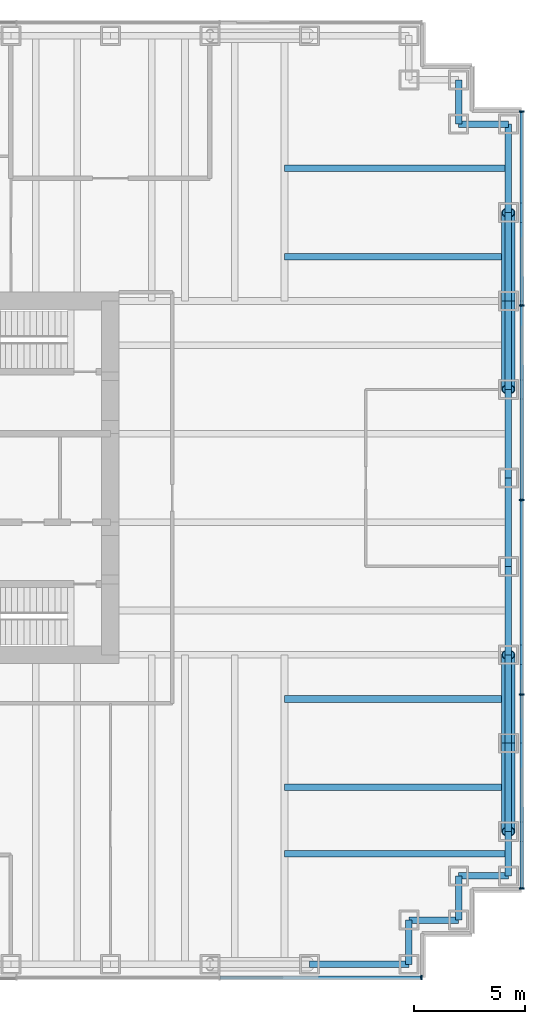
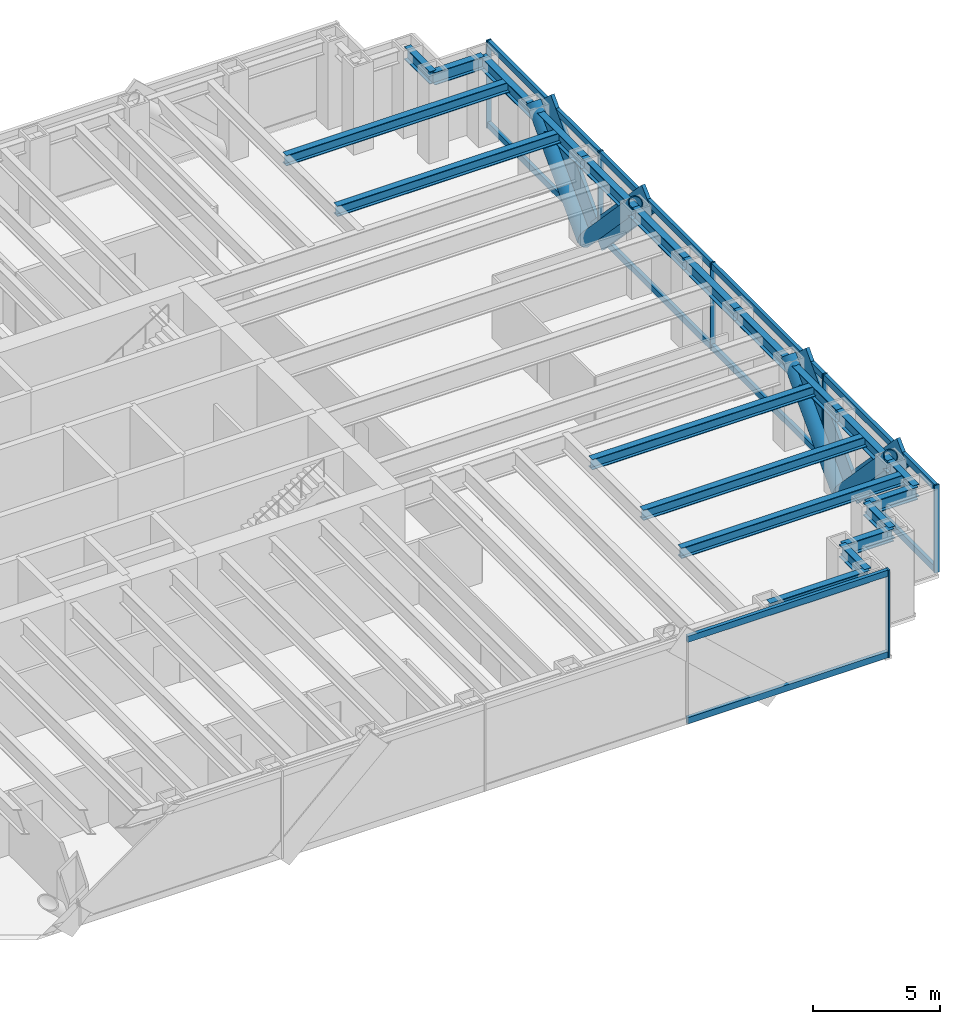
# One storey, part 8 of 17: 24 members, 21 beams, 2 elements without a shape of their own.
"""IFC4 building model written with IfcOpenShell, lengths in metres."""

import ifcopenshell
import ifcopenshell.guid

model = None  # the IFC model being written
_history = None  # IfcOwnerHistory: only IFC2X3 demands one
_inside = {}  # id of a spatial element -> (the spatial element, [elements in it])
_under = {}  # id of a project, library or spatial element -> (it, [spatial elements below it])
_declared = {}  # id of a project -> (the project, [libraries it declares])
_typed = {}  # id of a type object -> (the type object, [elements of that type])
_made_of = {}  # id of a material, layer set ... -> (it, [elements and type objects made of it])


def new_model(schema):
    """Start an empty IFC model of exactly this schema.

    Asked for "IFC4X3", IfcOpenShell would pick the latest addendum, in which some entities
    have other attributes; the version numbers below select the first issue.
    IFC2X3 requires an IfcOwnerHistory on every rooted entity: one is made here for all.
    """
    global model, _history
    if schema == "IFC4X3":
        model = ifcopenshell.file(schema_version=(4, 3, 0, 0))
    else:
        model = ifcopenshell.file(schema=schema)
    _inside.clear()
    _under.clear()
    _declared.clear()
    _typed.clear()
    _made_of.clear()
    _history = None
    if model.schema == "IFC2X3":
        org = make("IfcOrganization", Name="unknown")
        user = make(
            "IfcPersonAndOrganization",
            ThePerson=make("IfcPerson", FamilyName="unknown"),
            TheOrganization=org,
        )
        app = make(
            "IfcApplication",
            ApplicationDeveloper=org,
            Version="unknown",
            ApplicationFullName="unknown",
            ApplicationIdentifier="unknown",
        )
        _history = make(
            "IfcOwnerHistory",
            OwningUser=user,
            OwningApplication=app,
            ChangeAction="ADDED",
            CreationDate=0,
        )
    return model


def make(cls, **values):
    """One entity of the class cls with the attributes given. An attribute that is None is left unset."""
    return model.create_entity(
        cls, **{name: value for name, value in values.items() if value is not None}
    )


def rooted(cls, **values):
    """An entity with a GlobalId (a new one), such as an element, a storey or a relation."""
    return make(cls, GlobalId=ifcopenshell.guid.new(), OwnerHistory=_history, **values)


def si_unit(unit_type, name, prefix=None):
    """IfcSIUnit, for example si_unit("LENGTHUNIT", "METRE", prefix="MILLI")."""
    return make("IfcSIUnit", UnitType=unit_type, Prefix=prefix, Name=name)


def assignment(units):
    """IfcUnitAssignment: the units of a project."""
    return None if units is None else make("IfcUnitAssignment", Units=units)


def point(xyz):
    """IfcCartesianPoint."""
    return None if xyz is None else make("IfcCartesianPoint", Coordinates=xyz)


def direction(xyz):
    """IfcDirection."""
    return None if xyz is None else make("IfcDirection", DirectionRatios=xyz)


def frame(location, z_axis=None, x_axis=None):
    """IfcAxis2Placement3D, a coordinate frame: its origin and axes. An axis left out is left unset."""
    return make(
        "IfcAxis2Placement3D",
        Location=point(location),
        Axis=direction(z_axis),
        RefDirection=direction(x_axis),
    )


def frame_2d(location, x_axis=None):
    """IfcAxis2Placement2D, a coordinate frame in the plane: its origin and x axis."""
    return make(
        "IfcAxis2Placement2D", Location=point(location), RefDirection=direction(x_axis)
    )


def origin():
    """The frame at (0, 0, 0) with its axes left unset."""
    return frame((0.0, 0.0, 0.0))


def origin_2d():
    """The frame at (0, 0) in the plane with its x axis left unset."""
    return frame_2d((0.0, 0.0))


def place(relative_to, where):
    """IfcLocalPlacement: puts the frame where relative to a parent placement (None: the world)."""
    return make(
        "IfcLocalPlacement", PlacementRelTo=relative_to, RelativePlacement=where
    )


def context(
    kind, dimensions, precision=None, world=None, true_north=None, identifier=None
):
    """IfcGeometricRepresentationContext, for example the 3D "Model" context."""
    return make(
        "IfcGeometricRepresentationContext",
        ContextIdentifier=identifier,
        ContextType=kind,
        CoordinateSpaceDimension=dimensions,
        Precision=precision,
        WorldCoordinateSystem=world,
        TrueNorth=true_north,
    )


def subcontext(parent, identifier, kind, view, scale=None):
    """IfcGeometricRepresentationSubContext, for example "Body" below "Model"."""
    return make(
        "IfcGeometricRepresentationSubContext",
        ContextIdentifier=identifier,
        ContextType=kind,
        ParentContext=parent,
        TargetScale=scale,
        TargetView=view,
    )


def project(units=None, contexts=None):
    """IfcProject with its units and contexts."""
    return rooted(
        "IfcProject",
        Name="project",
        RepresentationContexts=contexts,
        UnitsInContext=assignment(units),
    )


def spatial(cls, under=None, at=None, **own):
    """A site, building, storey or space (cls), placed at a placement, below another one or the project."""
    s = rooted(cls, ObjectPlacement=at, **own)
    if under is not None:
        _under.setdefault(under.id(), (under, []))[1].append(s)
    return s


def profile(cls, at=None, kind="AREA", **sizes):
    """A parametric profile (cls). Its sizes go by their IFC names, for example OverallWidth=200.0."""
    return make(cls, ProfileType=kind, Position=at, **sizes)


def rectangle(**sizes):
    """IfcRectangleProfileDef."""
    return profile("IfcRectangleProfileDef", **sizes)


def hollow_circle(**sizes):
    """IfcCircleHollowProfileDef."""
    return profile("IfcCircleHollowProfileDef", **sizes)


def i_section(**sizes):
    """IfcIShapeProfileDef."""
    return profile("IfcIShapeProfileDef", **sizes)


def extrude(swept, where, along, depth):
    """IfcExtrudedAreaSolid: the profile swept, set in the frame where, extruded along a direction by depth."""
    return make(
        "IfcExtrudedAreaSolid",
        SweptArea=swept,
        Position=where,
        ExtrudedDirection=direction(along),
        Depth=depth,
    )


def shape(context_of_items, identifier, shape_type, items):
    """IfcShapeRepresentation: the items that make up one representation, for example the "Body"."""
    return make(
        "IfcShapeRepresentation",
        ContextOfItems=context_of_items,
        RepresentationIdentifier=identifier,
        RepresentationType=shape_type,
        Items=items,
    )


def material(Name=None, Category=None):
    """IfcMaterial."""
    return make("IfcMaterial", Name=Name, Category=Category)


def material_profile(
    of_material, cross_section, Name=None, Category=None, Priority=None
):
    """IfcMaterialProfile: a cross section and its material."""
    return make(
        "IfcMaterialProfile",
        Name=Name,
        Material=of_material,
        Profile=cross_section,
        Priority=Priority,
        Category=Category,
    )


def profile_set(profiles, Name=None, composite=None):
    """IfcMaterialProfileSet."""
    return make(
        "IfcMaterialProfileSet",
        Name=Name,
        MaterialProfiles=profiles,
        CompositeProfile=composite,
    )


def made_of(thing, what):
    """Note that an element or type object is made of a material, layer set ...; save() writes the relation."""
    if what is not None:
        _made_of.setdefault(what.id(), (what, []))[1].append(thing)
    return thing


def type_object(cls, material=None, **own):
    """A type object (cls), such as IfcWallType, which elements share."""
    return made_of(rooted(cls, **own), material)


def element(
    cls,
    number,
    at=None,
    inside=None,
    cuts=None,
    type_object=None,
    material=None,
    context=None,
    identifier="Body",
    shape_type=None,
    held_by="IfcProductDefinitionShape",
    body=None,
    shapes=None,
    **own,
):
    """One element of the class cls, such as IfcWall. Its Tag is "e" and its number.

    at: its placement. inside: the storey or other place that contains it. cuts: it is an
    opening in that element (IfcRelVoidsElement). A single representation is given by context,
    identifier, shape_type and body (its items); several are given by shapes. held_by: the class
    of the entity that holds the representations. save() writes the other relations.
    """
    e = rooted(cls, Tag="e%d" % number, ObjectPlacement=at, **own)
    if body is not None:
        shapes = [shape(context, identifier, shape_type, body)]
    if shapes is not None:
        e.Representation = make(held_by, Representations=shapes)
    if inside is not None:
        _inside.setdefault(inside.id(), (inside, []))[1].append(e)
    if cuts is not None:
        rooted(
            "IfcRelVoidsElement", RelatingBuildingElement=cuts, RelatedOpeningElement=e
        )
    if type_object is not None:
        _typed.setdefault(type_object.id(), (type_object, []))[1].append(e)
    return made_of(e, material)


def aggregate(whole, parts):
    """IfcRelAggregates: a whole, such as a stair, and the parts it consists of."""
    return rooted("IfcRelAggregates", RelatingObject=whole, RelatedObjects=parts)


def save(model, path):
    """Write the relations noted so far, then the file.

    IfcRelAggregates (storeys below a building ...), IfcRelContainedInSpatialStructure (elements
    in a storey), IfcRelDefinesByType, IfcRelAssociatesMaterial and IfcRelDeclares: one each for
    every whole, place, type object, material and project.
    """
    for whole, parts in _under.values():
        aggregate(whole, parts)
    for where, things in _inside.values():
        rooted(
            "IfcRelContainedInSpatialStructure",
            RelatedElements=things,
            RelatingStructure=where,
        )
    for kind, things in _typed.values():
        rooted("IfcRelDefinesByType", RelatedObjects=things, RelatingType=kind)
    for what, things in _made_of.values():
        rooted("IfcRelAssociatesMaterial", RelatedObjects=things, RelatingMaterial=what)
    for by, libraries in _declared.values():
        rooted("IfcRelDeclares", RelatingContext=by, RelatedDefinitions=libraries)
    model.write(path)


model = new_model("IFC4")

# Units and contexts
model_context = context("Model", 3, precision=1e-05, world=origin(), true_north=direction((0.0, 1.0)))
body_context = subcontext(model_context, "Body", "Model", "MODEL_VIEW")
ifc_project = project(units=[si_unit("LENGTHUNIT", "METRE"), si_unit("AREAUNIT", "SQUARE_METRE"), si_unit("VOLUMEUNIT", "CUBIC_METRE"), si_unit("PLANEANGLEUNIT", "RADIAN"), si_unit("MASSUNIT", "GRAM", prefix="KILO")], contexts=[model_context])

# Site, building, storey
site_placement = place(None, origin())
site = spatial("IfcSite", under=ifc_project, at=site_placement, CompositionType="ELEMENT")
building_placement = place(site_placement, origin())
building = spatial("IfcBuilding", under=site, at=building_placement, Name="Rheinbord Bourse Tower", CompositionType="ELEMENT")
storey_placement = place(building_placement, frame((0.0, 0.0, 190.0)))
storey = spatial("IfcBuildingStorey", under=building, at=storey_placement, Name="L42", CompositionType="ELEMENT", Elevation=190.0)

# Curtain wall, members
ifc_material_1 = material(Name="Dark glass and black aluminium", Category="aluminium")
curtain_wall_type = type_object("IfcCurtainWallType", Name="CW2 DARK GLASS CURTAIN WALL", PredefinedType="USERDEFINED", material=ifc_material_1)
curtain_wall_1_placement = place(storey_placement, origin())
curtain_wall_1 = element("IfcCurtainWall", 1, at=curtain_wall_1_placement, inside=storey, type_object=curtain_wall_type, Name="Curtain wall CW2 E L42", ObjectType="UNITISED CURTAIN WALL", PredefinedType="USERDEFINED")
ifc_material_2 = material(Name="Black anodised aluminium", Category="aluminium")
ifc_material_profile_1 = material_profile(ifc_material_2, rectangle(XDim=0.159912109375, YDim=1.2099609375, at=origin_2d()), Name="CW2 DIAGONAL MULLION 1210x160")
ifc_profile_set_1 = profile_set([ifc_material_profile_1], Name="Black anodised aluminium")
member_type_1 = type_object("IfcMemberType", Name="CW2 BLACK DIAGONAL MULLION", PredefinedType="USERDEFINED", material=ifc_profile_set_1)
member_1_placement = place(storey_placement, frame((72.60009765625, 32.0, 0.0), z_axis=(0.0, 0.689659376744, 0.724133926887), x_axis=(-1.0, 0.0, 0.0)))
member_1 = element("IfcMember", 2, at=member_1_placement, type_object=member_type_1, Name="CW2 diagonal mullion a", ObjectType="DIAGONAL MULLION", PredefinedType="USERDEFINED", context=body_context, shape_type="SweptSolid", body=[
    extrude(rectangle(XDim=0.159912109375, YDim=1.2099609375, at=origin_2d()), origin(), (0.0, 0.0, 1.0), 5.800048828125),
])
member_2_placement = place(storey_placement, frame((72.60009765625, 12.0, 0.0), z_axis=(0.0, -0.689659376744, 0.724133926887), x_axis=(1.0, 0.0, 0.0)))
member_2 = element("IfcMember", 3, at=member_2_placement, type_object=member_type_1, Name="CW2 diagonal mullion b", ObjectType="DIAGONAL MULLION", PredefinedType="USERDEFINED", context=body_context, shape_type="SweptSolid", body=[
    extrude(rectangle(XDim=0.159912109375, YDim=1.2099609375, at=origin_2d()), origin(), (0.0, 0.0, 1.0), 5.800048828125),
])
member_3_placement = place(storey_placement, frame((72.60009765625, 32.0, 0.0), z_axis=(0.0, -0.689659376744, 0.724133926887), x_axis=(1.0, 0.0, 0.0)))
member_3 = element("IfcMember", 4, at=member_3_placement, type_object=member_type_1, Name="CW2 diagonal mullion c", ObjectType="DIAGONAL MULLION", PredefinedType="USERDEFINED", context=body_context, shape_type="SweptSolid", body=[
    extrude(rectangle(XDim=0.159912109375, YDim=1.2099609375, at=origin_2d()), origin(), (0.0, 0.0, 1.0), 5.800048828125),
])
member_4_placement = place(storey_placement, frame((72.60009765625, 12.0, 0.0), z_axis=(0.0, 0.689659376744, 0.724133926887), x_axis=(-1.0, 0.0, 0.0)))
member_4 = element("IfcMember", 5, at=member_4_placement, type_object=member_type_1, Name="CW2 diagonal mullion d", ObjectType="DIAGONAL MULLION", PredefinedType="USERDEFINED", context=body_context, shape_type="SweptSolid", body=[
    extrude(rectangle(XDim=0.159912109375, YDim=1.2099609375, at=origin_2d()), origin(), (0.0, 0.0, 1.0), 5.800048828125),
])

# Curtain wall, member
curtain_wall_2_placement = place(storey_placement, origin())
curtain_wall_2 = element("IfcCurtainWall", 6, at=curtain_wall_2_placement, inside=storey, type_object=curtain_wall_type, Name="Curtain wall CW2 S L42", ObjectType="UNITISED CURTAIN WALL", PredefinedType="USERDEFINED")
ifc_material_3 = material(Name="Black anodised aluminium", Category="aluminium")
ifc_material_profile_2 = material_profile(ifc_material_3, rectangle(XDim=0.219970703125, YDim=0.070068359375, at=origin_2d()), Name="CW2 MULLION 70x220")
ifc_profile_set_2 = profile_set([ifc_material_profile_2], Name="Black anodised aluminium")
member_type_2 = type_object("IfcMemberType", Name="CW2 BLACK MULLION", PredefinedType="MULLION", material=ifc_profile_set_2)
member_5_placement = place(storey_placement, frame((68.06494140625, 1.39990234375, 0.0), z_axis=(0.0, 0.0, 1.0), x_axis=(0.0, 1.0, 0.0)))
member_5 = element("IfcMember", 7, at=member_5_placement, type_object=member_type_2, Name="CW2 mullion 8", PredefinedType="MULLION", context=body_context, shape_type="SweptSolid", body=[
    extrude(rectangle(XDim=0.219970703125, YDim=0.070068359375, at=origin_2d()), origin(), (0.0, 0.0, 1.0), 4.199951171875),
])

# Member
member_6_placement = place(storey_placement, frame((72.60009765625, 5.43505859375, 0.0), z_axis=(0.0, 0.0, 1.0), x_axis=(-1.0, 0.0, 0.0)))
member_6 = element("IfcMember", 8, at=member_6_placement, type_object=member_type_2, Name="CW2 mullion 1", PredefinedType="MULLION", context=body_context, shape_type="SweptSolid", body=[
    extrude(rectangle(XDim=0.219970703125, YDim=0.070068359375, at=origin_2d()), origin(), (0.0, 0.0, 1.0), 4.199951171875),
])

member_7_placement = place(storey_placement, frame((72.60009765625, 14.199951171875, 0.0), z_axis=(0.0, 0.0, 1.0), x_axis=(-1.0, 0.0, 0.0)))
member_7 = element("IfcMember", 9, at=member_7_placement, type_object=member_type_2, Name="CW2 mullion 2", PredefinedType="MULLION", context=body_context, shape_type="SweptSolid", body=[
    extrude(rectangle(XDim=0.219970703125, YDim=0.070068359375, at=origin_2d()), origin(), (0.0, 0.0, 1.0), 4.199951171875),
])

member_8_placement = place(storey_placement, frame((72.60009765625, 23.0, 0.0), z_axis=(0.0, 0.0, 1.0), x_axis=(-1.0, 0.0, 0.0)))
member_8 = element("IfcMember", 10, at=member_8_placement, type_object=member_type_2, Name="CW2 mullion 3", PredefinedType="MULLION", context=body_context, shape_type="SweptSolid", body=[
    extrude(rectangle(XDim=0.219970703125, YDim=0.070068359375, at=origin_2d()), origin(), (0.0, 0.0, 1.0), 4.199951171875),
])

member_9_placement = place(storey_placement, frame((72.60009765625, 31.800048828125, 0.0), z_axis=(0.0, 0.0, 1.0), x_axis=(-1.0, 0.0, 0.0)))
member_9 = element("IfcMember", 11, at=member_9_placement, type_object=member_type_2, Name="CW2 mullion 4", PredefinedType="MULLION", context=body_context, shape_type="SweptSolid", body=[
    extrude(rectangle(XDim=0.219970703125, YDim=0.070068359375, at=origin_2d()), origin(), (0.0, 0.0, 1.0), 4.199951171875),
])

member_10_placement = place(storey_placement, frame((72.60009765625, 40.56494140625, 0.0), z_axis=(0.0, 0.0, 1.0), x_axis=(-1.0, 0.0, 0.0)))
member_10 = element("IfcMember", 12, at=member_10_placement, type_object=member_type_2, Name="CW2 mullion 5", PredefinedType="MULLION", context=body_context, shape_type="SweptSolid", body=[
    extrude(rectangle(XDim=0.219970703125, YDim=0.070068359375, at=origin_2d()), origin(), (0.0, 0.0, 1.0), 4.199951171875),
])

ifc_material_4 = material(Name="Black anodised aluminium", Category="aluminium")
ifc_material_profile_3 = material_profile(ifc_material_4, rectangle(XDim=0.159912109375, YDim=0.300048828125, at=origin_2d()), Name="CW2 TRANSOM 300x160")
ifc_profile_set_3 = profile_set([ifc_material_profile_3], Name="Black anodised aluminium")
member_type_3 = type_object("IfcMemberType", Name="CW2 BLACK TRANSOM", PredefinedType="USERDEFINED", material=ifc_profile_set_3)
member_11_placement = place(storey_placement, frame((58.963623046875, 1.39990234375, 0.14990234375), z_axis=(1.0, 0.0, 0.0), x_axis=(0.0, 1.0, 0.0)))
member_11 = element("IfcMember", 13, at=member_11_placement, type_object=member_type_3, Name="CW2 transom 7.1", ObjectType="TRANSOM", PredefinedType="USERDEFINED", context=body_context, shape_type="SweptSolid", body=[
    extrude(rectangle(XDim=0.159912109375, YDim=0.300048828125, at=origin_2d()), origin(), (0.0, 0.0, 1.0), 9.06640625),
])

member_12_placement = place(storey_placement, frame((58.963623046875, 1.39990234375, 4.050048828125), z_axis=(1.0, 0.0, 0.0), x_axis=(0.0, 1.0, 0.0)))
member_12 = element("IfcMember", 14, at=member_12_placement, type_object=member_type_3, Name="CW2 transom 7.2", ObjectType="TRANSOM", PredefinedType="USERDEFINED", context=body_context, shape_type="SweptSolid", body=[
    extrude(rectangle(XDim=0.159912109375, YDim=0.300048828125, at=origin_2d()), origin(), (0.0, 0.0, 1.0), 9.06640625),
])

aggregate(curtain_wall_2, [member_5, member_11, member_12])

member_13_placement = place(storey_placement, frame((72.60009765625, 5.469970703125, 0.14990234375), z_axis=(0.0, 1.0, 0.0), x_axis=(-1.0, 0.0, 0.0)))
member_13 = element("IfcMember", 15, at=member_13_placement, type_object=member_type_3, Name="CW2 transom 1.1", ObjectType="TRANSOM", PredefinedType="USERDEFINED", context=body_context, shape_type="SweptSolid", body=[
    extrude(rectangle(XDim=0.159912109375, YDim=0.300048828125, at=origin_2d()), origin(), (0.0, 0.0, 1.0), 8.695068359375),
])

member_14_placement = place(storey_placement, frame((72.60009765625, 5.469970703125, 4.050048828125), z_axis=(0.0, 1.0, 0.0), x_axis=(-1.0, 0.0, 0.0)))
member_14 = element("IfcMember", 16, at=member_14_placement, type_object=member_type_3, Name="CW2 transom 1.2", ObjectType="TRANSOM", PredefinedType="USERDEFINED", context=body_context, shape_type="SweptSolid", body=[
    extrude(rectangle(XDim=0.159912109375, YDim=0.300048828125, at=origin_2d()), origin(), (0.0, 0.0, 1.0), 8.695068359375),
])

member_15_placement = place(storey_placement, frame((72.60009765625, 14.235107421875, 0.14990234375), z_axis=(0.0, 1.0, 0.0), x_axis=(-1.0, 0.0, 0.0)))
member_15 = element("IfcMember", 17, at=member_15_placement, type_object=member_type_3, Name="CW2 transom 2.1", ObjectType="TRANSOM", PredefinedType="USERDEFINED", context=body_context, shape_type="SweptSolid", body=[
    extrude(rectangle(XDim=0.159912109375, YDim=0.300048828125, at=origin_2d()), origin(), (0.0, 0.0, 1.0), 8.72998046875),
])

member_16_placement = place(storey_placement, frame((72.60009765625, 14.235107421875, 4.050048828125), z_axis=(0.0, 1.0, 0.0), x_axis=(-1.0, 0.0, 0.0)))
member_16 = element("IfcMember", 18, at=member_16_placement, type_object=member_type_3, Name="CW2 transom 2.2", ObjectType="TRANSOM", PredefinedType="USERDEFINED", context=body_context, shape_type="SweptSolid", body=[
    extrude(rectangle(XDim=0.159912109375, YDim=0.300048828125, at=origin_2d()), origin(), (0.0, 0.0, 1.0), 8.72998046875),
])

member_17_placement = place(storey_placement, frame((72.60009765625, 23.034912109375, 0.14990234375), z_axis=(0.0, 1.0, 0.0), x_axis=(-1.0, 0.0, 0.0)))
member_17 = element("IfcMember", 19, at=member_17_placement, type_object=member_type_3, Name="CW2 transom 3.1", ObjectType="TRANSOM", PredefinedType="USERDEFINED", context=body_context, shape_type="SweptSolid", body=[
    extrude(rectangle(XDim=0.159912109375, YDim=0.300048828125, at=origin_2d()), origin(), (0.0, 0.0, 1.0), 8.72998046875),
])

member_18_placement = place(storey_placement, frame((72.60009765625, 23.034912109375, 4.050048828125), z_axis=(0.0, 1.0, 0.0), x_axis=(-1.0, 0.0, 0.0)))
member_18 = element("IfcMember", 20, at=member_18_placement, type_object=member_type_3, Name="CW2 transom 3.2", ObjectType="TRANSOM", PredefinedType="USERDEFINED", context=body_context, shape_type="SweptSolid", body=[
    extrude(rectangle(XDim=0.159912109375, YDim=0.300048828125, at=origin_2d()), origin(), (0.0, 0.0, 1.0), 8.72998046875),
])

member_19_placement = place(storey_placement, frame((72.60009765625, 31.8349609375, 0.14990234375), z_axis=(0.0, 1.0, 0.0), x_axis=(-1.0, 0.0, 0.0)))
member_19 = element("IfcMember", 21, at=member_19_placement, type_object=member_type_3, Name="CW2 transom 4.1", ObjectType="TRANSOM", PredefinedType="USERDEFINED", context=body_context, shape_type="SweptSolid", body=[
    extrude(rectangle(XDim=0.159912109375, YDim=0.300048828125, at=origin_2d()), origin(), (0.0, 0.0, 1.0), 8.695068359375),
])

member_20_placement = place(storey_placement, frame((72.60009765625, 31.8349609375, 4.050048828125), z_axis=(0.0, 1.0, 0.0), x_axis=(-1.0, 0.0, 0.0)))
member_20 = element("IfcMember", 22, at=member_20_placement, type_object=member_type_3, Name="CW2 transom 4.2", ObjectType="TRANSOM", PredefinedType="USERDEFINED", context=body_context, shape_type="SweptSolid", body=[
    extrude(rectangle(XDim=0.159912109375, YDim=0.300048828125, at=origin_2d()), origin(), (0.0, 0.0, 1.0), 8.695068359375),
])

aggregate(curtain_wall_1, [member_6, member_7, member_8, member_9, member_10, member_13, member_14, member_15, member_16, member_17, member_18, member_19, member_20, member_1, member_2, member_3, member_4])

# Members
ifc_material_5 = material(Name="Steel S460", Category="steel")
ifc_material_profile_4 = material_profile(ifc_material_5, hollow_circle(Radius=0.304931640625, WallThickness=0.0400390625, at=origin_2d()), Name="CHS 610x40")
ifc_profile_set_4 = profile_set([ifc_material_profile_4], Name="Steel S460")
member_type_4 = type_object("IfcMemberType", Name="MEGABRACE CHS 610x40", PredefinedType="BRACE", material=ifc_profile_set_4)
for number, where, z_axis, x_axis, name in (
    (23, (72.0, 32.0, 0.0), (0.0, 0.689659376744, 0.724133926887), (-1.0, 0.0, 0.0), "Megabrace E face line a L42"),
    (24, (72.0, 12.0, 0.0), (0.0, -0.689659376744, 0.724133926887), (1.0, 0.0, 0.0), "Megabrace E face line b L42"),
    (25, (72.0, 32.0, 0.0), (0.0, -0.689659376744, 0.724133926887), (1.0, 0.0, 0.0), "Megabrace E face line c L42"),
    (26, (72.0, 12.0, 0.0), (0.0, 0.689659376744, 0.724133926887), (-1.0, 0.0, 0.0), "Megabrace E face line d L42"),
):
    element("IfcMember", number, at=place(storey_placement, frame(where, z_axis=z_axis, x_axis=x_axis)), inside=storey, type_object=member_type_4, Name=name, PredefinedType="BRACE", context=body_context, shape_type="SweptSolid", body=[
        extrude(hollow_circle(Radius=0.304931640625, WallThickness=0.0400390625, at=origin_2d()), origin(), (0.0, 0.0, 1.0), 5.800048828125),
    ])

# Beams
ifc_material_6 = material(Name="Steel S460", Category="steel")
ifc_material_profile_5 = material_profile(ifc_material_6, i_section(OverallWidth=0.300048828125, OverallDepth=0.60009765625, WebThickness=0.015380859375, FlangeThickness=0.030029296875, at=origin_2d()), Name="HEB 600")
ifc_profile_set_5 = profile_set([ifc_material_profile_5], Name="Steel S460")
beam_type_1 = type_object("IfcBeamType", Name="SPANDREL HEB 600", PredefinedType="SPANDREL", material=ifc_profile_set_5)
beam_1_placement = place(storey_placement, frame((63.0, 2.0, 3.739990234375), z_axis=(1.0, 0.0, 0.0), x_axis=(0.0, 1.0, 0.0)))
element("IfcBeam", 27, at=beam_1_placement, inside=storey, type_object=beam_type_1, Name="Spandrel S-63-SE-E under L43", PredefinedType="SPANDREL", context=body_context, shape_type="SweptSolid", body=[
    extrude(i_section(OverallWidth=0.300048828125, OverallDepth=0.60009765625, WebThickness=0.015380859375, FlangeThickness=0.030029296875, at=origin_2d()), origin(), (0.0, 0.0, 1.0), 4.5),
])
beam_2_placement = place(storey_placement, frame((67.5, 2.0, 3.739990234375), z_axis=(0.0, 1.0, 0.0), x_axis=(-1.0, 0.0, 0.0)))
element("IfcBeam", 28, at=beam_2_placement, inside=storey, type_object=beam_type_1, Name="Spandrel SE-E-SE-D under L43", PredefinedType="SPANDREL", context=body_context, shape_type="SweptSolid", body=[
    extrude(i_section(OverallWidth=0.300048828125, OverallDepth=0.60009765625, WebThickness=0.015380859375, FlangeThickness=0.030029296875, at=origin_2d()), origin(), (0.0, 0.0, 1.0), 2.0),
])
beam_3_placement = place(storey_placement, frame((67.5, 4.0, 3.739990234375), z_axis=(1.0, 0.0, 0.0), x_axis=(0.0, 1.0, 0.0)))
element("IfcBeam", 29, at=beam_3_placement, inside=storey, type_object=beam_type_1, Name="Spandrel SE-D-SE-C under L43", PredefinedType="SPANDREL", context=body_context, shape_type="SweptSolid", body=[
    extrude(i_section(OverallWidth=0.300048828125, OverallDepth=0.60009765625, WebThickness=0.015380859375, FlangeThickness=0.030029296875, at=origin_2d()), origin(), (0.0, 0.0, 1.0), 2.25),
])
beam_4_placement = place(storey_placement, frame((69.75, 4.0, 3.739990234375), z_axis=(0.0, 1.0, 0.0), x_axis=(-1.0, 0.0, 0.0)))
element("IfcBeam", 30, at=beam_4_placement, inside=storey, type_object=beam_type_1, Name="Spandrel SE-C-SE-B under L43", PredefinedType="SPANDREL", context=body_context, shape_type="SweptSolid", body=[
    extrude(i_section(OverallWidth=0.300048828125, OverallDepth=0.60009765625, WebThickness=0.015380859375, FlangeThickness=0.030029296875, at=origin_2d()), origin(), (0.0, 0.0, 1.0), 2.0),
])
beam_5_placement = place(storey_placement, frame((69.75, 6.0, 3.739990234375), z_axis=(1.0, 0.0, 0.0), x_axis=(0.0, 1.0, 0.0)))
element("IfcBeam", 31, at=beam_5_placement, inside=storey, type_object=beam_type_1, Name="Spandrel SE-B-SE-A under L43", PredefinedType="SPANDREL", context=body_context, shape_type="SweptSolid", body=[
    extrude(i_section(OverallWidth=0.300048828125, OverallDepth=0.60009765625, WebThickness=0.015380859375, FlangeThickness=0.030029296875, at=origin_2d()), origin(), (0.0, 0.0, 1.0), 2.25),
])
beam_6_placement = place(storey_placement, frame((72.0, 6.0, 3.739990234375), z_axis=(0.0, 1.0, 0.0), x_axis=(-1.0, 0.0, 0.0)))
element("IfcBeam", 32, at=beam_6_placement, inside=storey, type_object=beam_type_1, Name="Spandrel SE-A-E-8 under L43", PredefinedType="SPANDREL", context=body_context, shape_type="SweptSolid", body=[
    extrude(i_section(OverallWidth=0.300048828125, OverallDepth=0.60009765625, WebThickness=0.015380859375, FlangeThickness=0.030029296875, at=origin_2d()), origin(), (0.0, 0.0, 1.0), 2.0),
])
for number, where, z_axis, x_axis, name in (
    (33, (72.0, 8.0, 3.739990234375), (0.0, 1.0, 0.0), (-1.0, 0.0, 0.0), "Spandrel E-8-E-12 under L43"),
    (34, (72.0, 12.0, 3.739990234375), (0.0, 1.0, 0.0), (-1.0, 0.0, 0.0), "Spandrel E-12-E-16 under L43"),
    (35, (72.0, 16.0, 3.739990234375), (0.0, 1.0, 0.0), (-1.0, 0.0, 0.0), "Spandrel E-16-E-20 under L43"),
    (36, (72.0, 20.0, 3.739990234375), (0.0, 1.0, 0.0), (-1.0, 0.0, 0.0), "Spandrel E-20-E-24 under L43"),
    (37, (72.0, 24.0, 3.739990234375), (0.0, 1.0, 0.0), (-1.0, 0.0, 0.0), "Spandrel E-24-E-28 under L43"),
    (38, (72.0, 28.0, 3.739990234375), (0.0, 1.0, 0.0), (-1.0, 0.0, 0.0), "Spandrel E-28-E-32 under L43"),
    (39, (72.0, 32.0, 3.739990234375), (0.0, 1.0, 0.0), (-1.0, 0.0, 0.0), "Spandrel E-32-E-36 under L43"),
    (40, (72.0, 36.0, 3.739990234375), (0.0, 1.0, 0.0), (-1.0, 0.0, 0.0), "Spandrel E-36-NE-A under L43"),
):
    element("IfcBeam", number, at=place(storey_placement, frame(where, z_axis=z_axis, x_axis=x_axis)), inside=storey, type_object=beam_type_1, Name=name, PredefinedType="SPANDREL", context=body_context, shape_type="SweptSolid", body=[
        extrude(i_section(OverallWidth=0.300048828125, OverallDepth=0.60009765625, WebThickness=0.015380859375, FlangeThickness=0.030029296875, at=origin_2d()), origin(), (0.0, 0.0, 1.0), 4.0),
    ])
beam_7_placement = place(storey_placement, frame((72.0, 40.0, 3.739990234375), z_axis=(-1.0, 0.0, 0.0), x_axis=(0.0, -1.0, 0.0)))
element("IfcBeam", 41, at=beam_7_placement, inside=storey, type_object=beam_type_1, Name="Spandrel NE-A-NE-B under L43", PredefinedType="SPANDREL", context=body_context, shape_type="SweptSolid", body=[
    extrude(i_section(OverallWidth=0.300048828125, OverallDepth=0.60009765625, WebThickness=0.015380859375, FlangeThickness=0.030029296875, at=origin_2d()), origin(), (0.0, 0.0, 1.0), 2.25),
])
beam_8_placement = place(storey_placement, frame((69.75, 40.0, 3.739990234375), z_axis=(0.0, 1.0, 0.0), x_axis=(-1.0, 0.0, 0.0)))
element("IfcBeam", 42, at=beam_8_placement, inside=storey, type_object=beam_type_1, Name="Spandrel NE-B-NE-C under L43", PredefinedType="SPANDREL", context=body_context, shape_type="SweptSolid", body=[
    extrude(i_section(OverallWidth=0.300048828125, OverallDepth=0.60009765625, WebThickness=0.015380859375, FlangeThickness=0.030029296875, at=origin_2d()), origin(), (0.0, 0.0, 1.0), 2.0),
])
ifc_material_7 = material(Name="Steel S460", Category="steel")
ifc_material_profile_6 = material_profile(ifc_material_7, i_section(OverallWidth=0.300048828125, OverallDepth=0.5, WebThickness=0.014404296875, FlangeThickness=0.028076171875, at=origin_2d()), Name="HEB 500")
ifc_profile_set_6 = profile_set([ifc_material_profile_6], Name="Steel S460")
beam_type_2 = type_object("IfcBeamType", Name="TIE BEAM HEB 500", PredefinedType="JOIST", material=ifc_profile_set_6)
for number, where, z_axis, x_axis, name in (
    (43, (61.875, 7.0, 3.7900390625), (1.0, 0.0, 0.0), (0.0, 1.0, 0.0), "Tie east 7 L43"),
    (44, (61.875, 10.0, 3.7900390625), (1.0, 0.0, 0.0), (0.0, 1.0, 0.0), "Tie east 10 L43"),
    (45, (61.875, 14.0, 3.7900390625), (1.0, 0.0, 0.0), (0.0, 1.0, 0.0), "Tie east 14 L43"),
    (46, (61.875, 34.0, 3.7900390625), (1.0, 0.0, 0.0), (0.0, 1.0, 0.0), "Tie east 34 L43"),
    (47, (61.875, 38.0, 3.7900390625), (1.0, 0.0, 0.0), (0.0, 1.0, 0.0), "Tie east 38 L43"),
):
    element("IfcBeam", number, at=place(storey_placement, frame(where, z_axis=z_axis, x_axis=x_axis)), inside=storey, type_object=beam_type_2, Name=name, PredefinedType="JOIST", context=body_context, shape_type="SweptSolid", body=[
        extrude(i_section(OverallWidth=0.300048828125, OverallDepth=0.5, WebThickness=0.014404296875, FlangeThickness=0.028076171875, at=origin_2d()), origin(), (0.0, 0.0, 1.0), 10.125),
    ])

save(model, "model.ifc")
